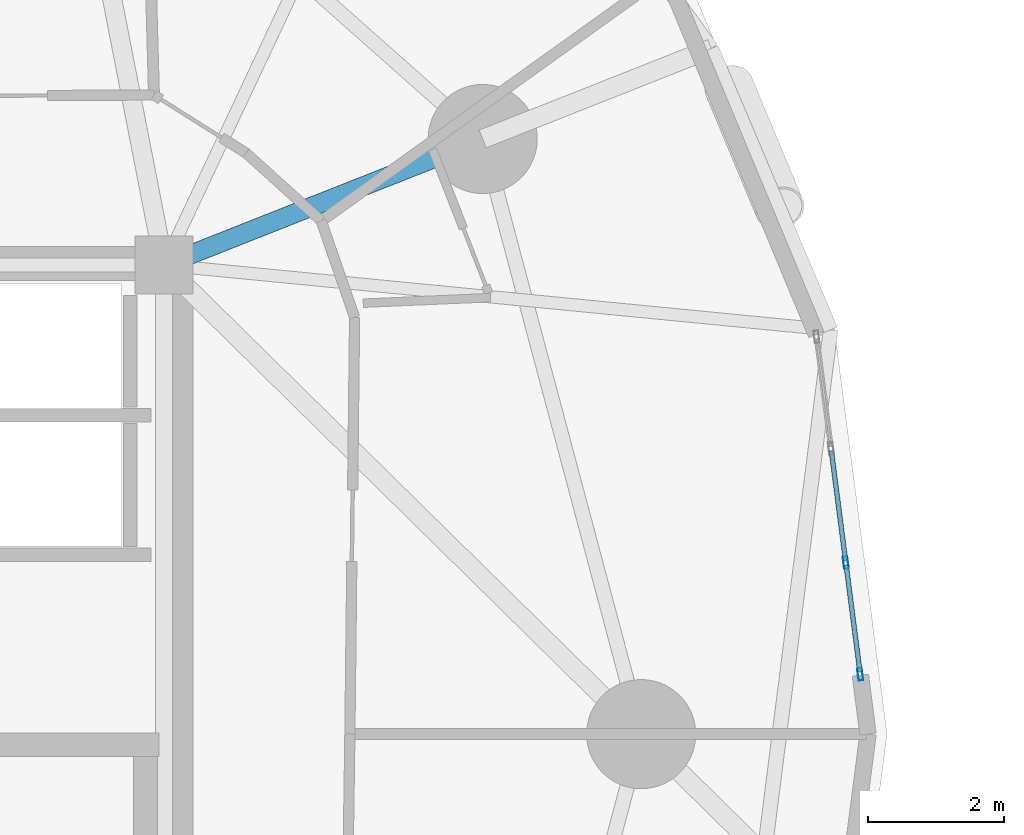
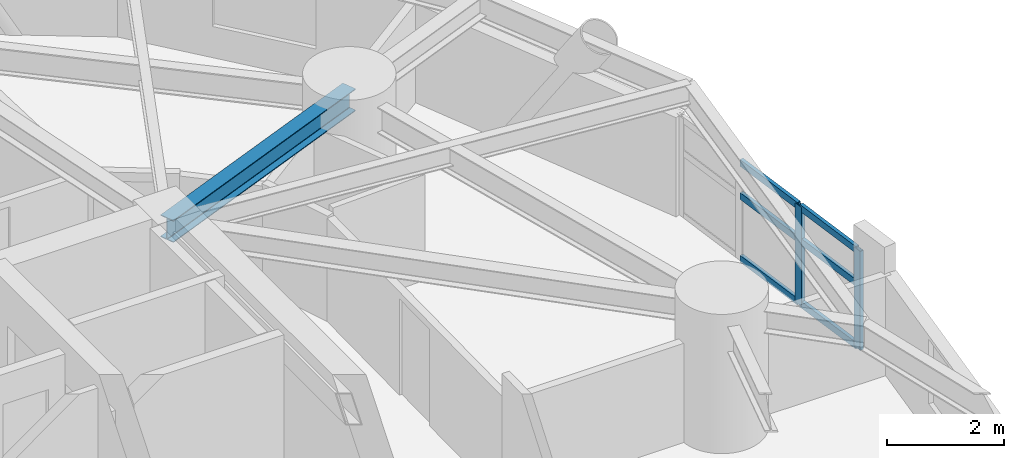
# One storey, part 2 of 19: 8 members, 1 beam, 1 element without a shape of its own.
"""IFC4 building model written with IfcOpenShell, lengths in metres."""

from ifc_helpers import new_model, si_unit, direction, frame, origin, origin_2d, place, context, subcontext, project, spatial, hollow_rectangle, i_section, extrude, material, layer, layer_set, material_profile, profile_set, type_object, element, aggregate, save


model = new_model("IFC4")

# Units and contexts
model_context = context("Model", 3, precision=1e-05, world=origin(), true_north=direction((0.0, 1.0)))
body_context = subcontext(model_context, "Body", "Model", "MODEL_VIEW")
ifc_project = project(units=[si_unit("LENGTHUNIT", "METRE"), si_unit("AREAUNIT", "SQUARE_METRE"), si_unit("VOLUMEUNIT", "CUBIC_METRE"), si_unit("PLANEANGLEUNIT", "RADIAN"), si_unit("MASSUNIT", "GRAM", prefix="KILO")], contexts=[model_context])

# Site, building, storey
site_placement = place(None, origin())
site = spatial("IfcSite", under=ifc_project, at=site_placement, CompositionType="ELEMENT")
building_placement = place(site_placement, origin())
building = spatial("IfcBuilding", under=site, at=building_placement, Name="Cununo Teusaquillo Station Towers", CompositionType="ELEMENT")
storey_placement = place(building_placement, frame((0.0, 0.0, 33.639892578125)))
storey = spatial("IfcBuildingStorey", under=building, at=storey_placement, Name="L09", CompositionType="ELEMENT", Elevation=33.639892578125)

# Beam
ifc_material_1 = material(Name="Steel ASTM A572 Grade 50", Category="steel")
ifc_material_profile_1 = material_profile(ifc_material_1, i_section(OverallWidth=0.280029296875, OverallDepth=0.462890625, WebThickness=0.0107421875, FlangeThickness=0.017333984375, FilletRadius=0.013916015625, at=origin_2d()), Name="W18X76")
ifc_profile_set_1 = profile_set([ifc_material_profile_1], Name="Steel ASTM A572 Grade 50")
beam_type = type_object("IfcBeamType", Name="BM-RAD-G1", PredefinedType="BEAM", material=ifc_profile_set_1)
beam_placement = place(storey_placement, frame((21.675048828125, 31.3798828125, 2.418701171875), z_axis=(0.929864104313, 0.367903176814, 0.0), x_axis=(-0.367903176814, 0.929864104313, 0.0)))
element("IfcBeam", 1, at=beam_placement, inside=storey, type_object=beam_type, Name="L09 Tower A Radial Girder 02A", PredefinedType="BEAM", context=body_context, shape_type="SweptSolid", body=[
    extrude(i_section(OverallWidth=0.280029296875, OverallDepth=0.462890625, WebThickness=0.0107421875, FlangeThickness=0.017333984375, FilletRadius=0.013916015625, at=origin_2d()), origin(), (0.0, 0.0, 1.0), 5.02490234375),
])

# Curtain wall, members
ifc_material_2 = material(Name="Ceramic-fritted dark low-E double glazing", Category="glass")
ifc_layer = layer(ifc_material_2, 0.179931640625)
ifc_layer_set = layer_set([ifc_layer], Name="Ceramic-fritted dark low-E double glazing")
curtain_wall_type = type_object("IfcCurtainWallType", Name="CW-SYS-02", PredefinedType="USERDEFINED", material=ifc_layer_set)
curtain_wall_placement = place(storey_placement, origin())
curtain_wall = element("IfcCurtainWall", 2, at=curtain_wall_placement, inside=storey, type_object=curtain_wall_type, Name="L09 Tower A Facade Curtain Wall C00", ObjectType="FRITTED GLAZING", PredefinedType="USERDEFINED")
ifc_material_3 = material(Name="Anodised dark bronze aluminium EN AW-6063-T6", Category="aluminium")
ifc_material_profile_2 = material_profile(ifc_material_3, hollow_rectangle(XDim=0.070068359375, YDim=0.179931640625, WallThickness=0.00390625, at=origin_2d()), Name="CW-MULL-70x180")
ifc_profile_set_2 = profile_set([ifc_material_profile_2], Name="Anodised dark bronze aluminium EN AW-6063-T6")
member_type_1 = type_object("IfcMemberType", Name="CWM-180", PredefinedType="MULLION", material=ifc_profile_set_2)
member_1_placement = place(storey_placement, frame((31.67333984375, 27.01611328125, 0.0), z_axis=(0.0, 0.0, 1.0), x_axis=(0.991730798481, 0.128335588771, 0.0)))
member_1 = element("IfcMember", 3, at=member_1_placement, type_object=member_type_1, Name="CW-02 mullion 3", PredefinedType="MULLION", context=body_context, shape_type="SweptSolid", body=[
    extrude(hollow_rectangle(XDim=0.070068359375, YDim=0.179931640625, WallThickness=0.00390625, at=origin_2d()), origin(), (0.0, 0.0, 1.0), 2.072998046875),
])
member_2_placement = place(storey_placement, frame((31.885498046875, 25.377685546875, 0.0), z_axis=(0.0, 0.0, 1.0), x_axis=(0.991730798481, 0.128335588771, 0.0)))
member_2 = element("IfcMember", 4, at=member_2_placement, type_object=member_type_1, Name="CW-02 mullion 4", PredefinedType="MULLION", context=body_context, shape_type="SweptSolid", body=[
    extrude(hollow_rectangle(XDim=0.070068359375, YDim=0.179931640625, WallThickness=0.00390625, at=origin_2d()), origin(), (0.0, 0.0, 1.0), 2.072998046875),
])
ifc_material_4 = material(Name="Anodised dark bronze aluminium EN AW-6063-T6", Category="aluminium")
ifc_material_profile_3 = material_profile(ifc_material_4, hollow_rectangle(XDim=0.070068359375, YDim=0.139892578125, WallThickness=0.00390625, at=origin_2d()), Name="CW-TRAN-70x140")
ifc_profile_set_3 = profile_set([ifc_material_profile_3], Name="Anodised dark bronze aluminium EN AW-6063-T6")
member_type_2 = type_object("IfcMemberType", Name="CWT-140", PredefinedType="USERDEFINED", material=ifc_profile_set_3)
member_3_placement = place(storey_placement, frame((31.46142578125, 28.654296875, 0.03515625), z_axis=(0.128345027476, -0.991729577013, 0.0), x_axis=(0.991729577013, 0.128345027476, 0.0)))
member_3 = element("IfcMember", 5, at=member_3_placement, type_object=member_type_2, Name="CW-02 transom 2.1", ObjectType="TRANSOM", PredefinedType="USERDEFINED", context=body_context, shape_type="SweptSolid", body=[
    extrude(hollow_rectangle(XDim=0.070068359375, YDim=0.139892578125, WallThickness=0.00390625, at=origin_2d()), origin(), (0.0, 0.0, 1.0), 1.616943359375),
])
member_4_placement = place(storey_placement, frame((31.46142578125, 28.654296875, 1.34716796875), z_axis=(0.128345027476, -0.991729577013, 0.0), x_axis=(0.991729577013, 0.128345027476, 0.0)))
member_4 = element("IfcMember", 6, at=member_4_placement, type_object=member_type_2, Name="CW-02 transom 2.2", ObjectType="TRANSOM", PredefinedType="USERDEFINED", context=body_context, shape_type="SweptSolid", body=[
    extrude(hollow_rectangle(XDim=0.070068359375, YDim=0.139892578125, WallThickness=0.00390625, at=origin_2d()), origin(), (0.0, 0.0, 1.0), 1.616943359375),
])
member_5_placement = place(storey_placement, frame((31.46142578125, 28.654296875, 2.0380859375), z_axis=(0.128345027476, -0.991729577013, 0.0), x_axis=(0.991729577013, 0.128345027476, 0.0)))
member_5 = element("IfcMember", 7, at=member_5_placement, type_object=member_type_2, Name="CW-02 transom 2.3", ObjectType="TRANSOM", PredefinedType="USERDEFINED", context=body_context, shape_type="SweptSolid", body=[
    extrude(hollow_rectangle(XDim=0.070068359375, YDim=0.139892578125, WallThickness=0.00390625, at=origin_2d()), origin(), (0.0, 0.0, 1.0), 1.616943359375),
])
member_6_placement = place(storey_placement, frame((31.677978515625, 26.981201171875, 0.03515625), z_axis=(0.128250458302, -0.991741811131, 0.0), x_axis=(0.991741811131, 0.128250458302, 0.0)))
member_6 = element("IfcMember", 8, at=member_6_placement, type_object=member_type_2, Name="CW-02 transom 3.1", ObjectType="TRANSOM", PredefinedType="USERDEFINED", context=body_context, shape_type="SweptSolid", body=[
    extrude(hollow_rectangle(XDim=0.070068359375, YDim=0.139892578125, WallThickness=0.00390625, at=origin_2d()), origin(), (0.0, 0.0, 1.0), 1.58203125),
])
member_7_placement = place(storey_placement, frame((31.677978515625, 26.981201171875, 1.34716796875), z_axis=(0.128250458302, -0.991741811131, 0.0), x_axis=(0.991741811131, 0.128250458302, 0.0)))
member_7 = element("IfcMember", 9, at=member_7_placement, type_object=member_type_2, Name="CW-02 transom 3.2", ObjectType="TRANSOM", PredefinedType="USERDEFINED", context=body_context, shape_type="SweptSolid", body=[
    extrude(hollow_rectangle(XDim=0.070068359375, YDim=0.139892578125, WallThickness=0.00390625, at=origin_2d()), origin(), (0.0, 0.0, 1.0), 1.58203125),
])
member_8_placement = place(storey_placement, frame((31.677978515625, 26.981201171875, 2.0380859375), z_axis=(0.128250458302, -0.991741811131, 0.0), x_axis=(0.991741811131, 0.128250458302, 0.0)))
member_8 = element("IfcMember", 10, at=member_8_placement, type_object=member_type_2, Name="CW-02 transom 3.3", ObjectType="TRANSOM", PredefinedType="USERDEFINED", context=body_context, shape_type="SweptSolid", body=[
    extrude(hollow_rectangle(XDim=0.070068359375, YDim=0.139892578125, WallThickness=0.00390625, at=origin_2d()), origin(), (0.0, 0.0, 1.0), 1.58203125),
])
aggregate(curtain_wall, [member_1, member_2, member_3, member_4, member_5, member_6, member_7, member_8])

save(model, "model.ifc")
